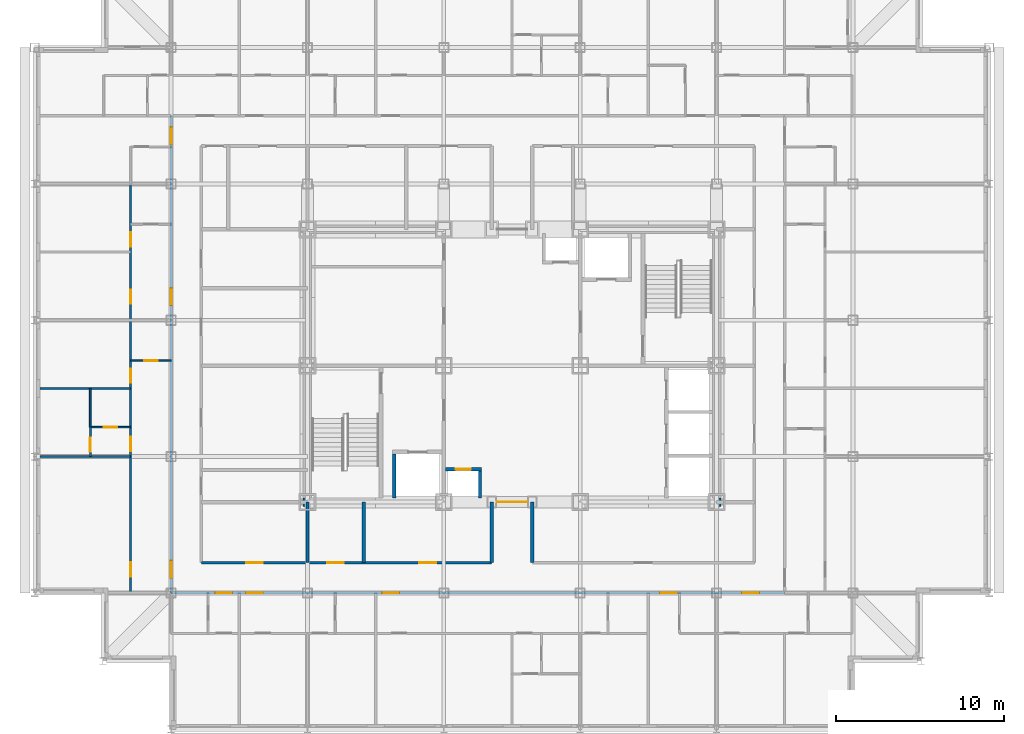
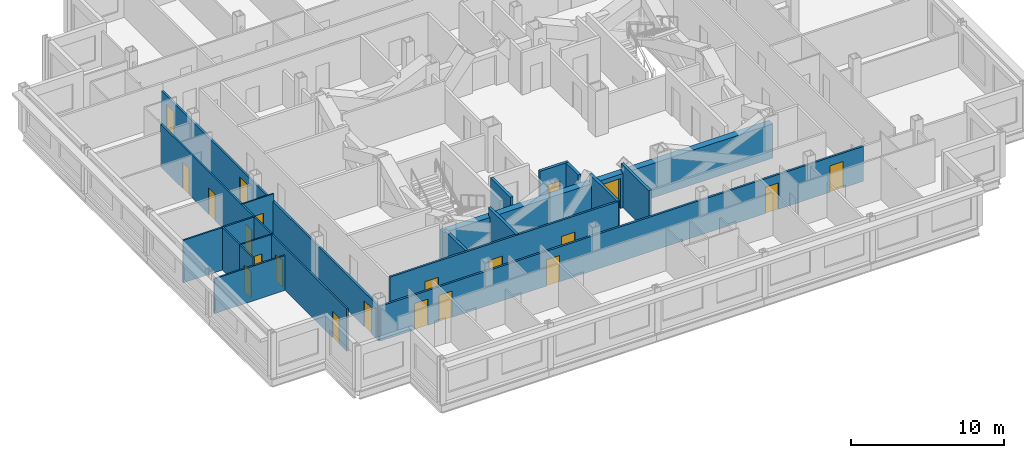
# One storey, part 5 of 12: 21 doors, 18 walls, 21 openings.
"""IFC4 building model written with IfcOpenShell, lengths in metres."""

from ifc_helpers import new_model, si_unit, direction, frame, frame_2d, origin, place, context, subcontext, project, spatial, rectangle, extrude, material, layer, layer_set, type_object, element, fill, save


model = new_model("IFC4")

# Units and contexts
model_context = context("Model", 3, precision=1e-05, world=origin(), true_north=direction((0.0, 1.0)))
body_context = subcontext(model_context, "Body", "Model", "MODEL_VIEW")
ifc_project = project(units=[si_unit("LENGTHUNIT", "METRE"), si_unit("AREAUNIT", "SQUARE_METRE"), si_unit("VOLUMEUNIT", "CUBIC_METRE"), si_unit("PLANEANGLEUNIT", "RADIAN"), si_unit("MASSUNIT", "GRAM", prefix="KILO")], contexts=[model_context])

# Site, building, storey
site_placement = place(None, origin())
site = spatial("IfcSite", under=ifc_project, at=site_placement, CompositionType="ELEMENT")
building_placement = place(site_placement, origin())
building = spatial("IfcBuilding", under=site, at=building_placement, Name="Kopane Lantern Tower", CompositionType="ELEMENT")
storey_placement = place(building_placement, frame((0.0, 0.0, 210.0)))
storey = spatial("IfcBuildingStorey", under=building, at=storey_placement, Name="L54", CompositionType="ELEMENT", Elevation=210.0)

# Wall, openings, doors
ifc_material_1 = material(Name="Gypsum board on steel studs", Category="steel")
ifc_layer_1 = layer(ifc_material_1, 0.1201171875)
ifc_layer_set_1 = layer_set([ifc_layer_1], Name="APARTMENT INTERNAL WALL 120")
wall_type_1 = type_object("IfcWallType", Name="APARTMENT INTERNAL WALL 120", PredefinedType="PARTITIONING", material=ifc_layer_set_1)
wall_1_placement = place(storey_placement, frame((5.699951171875, 18.89990234375, 0.0), z_axis=(0.0, 0.0, 1.0), x_axis=(0.0, 1.0, 0.0)))
wall_1 = element("IfcWall", 1, at=wall_1_placement, inside=storey, type_object=wall_type_1, Name="Apartment Internal Wall 120 L54", PredefinedType="PARTITIONING", context=body_context, shape_type="SweptSolid", body=[
    extrude(rectangle(XDim=24.300048828125, YDim=0.1201171875, at=frame_2d((12.14990234375, 0.0))), origin(), (0.0, 0.0, 1.0), 3.389892578125),
])
opening_1_placement = place(wall_1_placement, frame((0.97509765625, 0.0, 0.0)))
opening_1 = element("IfcOpeningElement", 2, at=opening_1_placement, cuts=wall_1, Name="Opening L54-043", PredefinedType="OPENING", context=body_context, shape_type="SweptSolid", body=[
    extrude(rectangle(XDim=0.85009765625, YDim=2.10009765625, at=frame_2d((0.425048828125, 1.050048828125))), frame((0.0, 0.070068359375, 0.0), z_axis=(0.0, -1.0, 0.0), x_axis=(1.0, 0.0, 0.0)), (0.0, 0.0, 1.0), 0.14013671875),
])
opening_2_placement = place(wall_1_placement, frame((8.425048828125, 0.0, 0.0)))
opening_2 = element("IfcOpeningElement", 3, at=opening_2_placement, cuts=wall_1, Name="Opening L54-045", PredefinedType="OPENING", context=body_context, shape_type="SweptSolid", body=[
    extrude(rectangle(XDim=0.85009765625, YDim=2.10009765625, at=frame_2d((0.425048828125, 1.050048828125))), frame((0.0, 0.070068359375, 0.0), z_axis=(0.0, -1.0, 0.0), x_axis=(1.0, 0.0, 0.0)), (0.0, 0.0, 1.0), 0.14013671875),
])
opening_3_placement = place(wall_1_placement, frame((12.47509765625, 0.0, 0.0)))
opening_3 = element("IfcOpeningElement", 4, at=opening_3_placement, cuts=wall_1, Name="Opening L54-046", PredefinedType="OPENING", context=body_context, shape_type="SweptSolid", body=[
    extrude(rectangle(XDim=0.85009765625, YDim=2.10009765625, at=frame_2d((0.425048828125, 1.050048828125))), frame((0.0, 0.070068359375, 0.0), z_axis=(0.0, -1.0, 0.0), x_axis=(1.0, 0.0, 0.0)), (0.0, 0.0, 1.0), 0.14013671875),
])
opening_4_placement = place(wall_1_placement, frame((17.175048828125, 0.0, 0.0)))
opening_4 = element("IfcOpeningElement", 5, at=opening_4_placement, cuts=wall_1, Name="Opening L54-049", PredefinedType="OPENING", context=body_context, shape_type="SweptSolid", body=[
    extrude(rectangle(XDim=0.85009765625, YDim=2.10009765625, at=frame_2d((0.425048828125, 1.050048828125))), frame((0.0, 0.070068359375, 0.0), z_axis=(0.0, -1.0, 0.0), x_axis=(1.0, 0.0, 0.0)), (0.0, 0.0, 1.0), 0.14013671875),
])
opening_5_placement = place(wall_1_placement, frame((20.574951171875, 0.0, 0.0)))
opening_5 = element("IfcOpeningElement", 6, at=opening_5_placement, cuts=wall_1, Name="Opening L54-050", PredefinedType="OPENING", context=body_context, shape_type="SweptSolid", body=[
    extrude(rectangle(XDim=0.85009765625, YDim=2.10009765625, at=frame_2d((0.425048828125, 1.050048828125))), frame((0.0, 0.070068359375, 0.0), z_axis=(0.0, -1.0, 0.0), x_axis=(1.0, 0.0, 0.0)), (0.0, 0.0, 1.0), 0.14013671875),
])
ifc_material_2 = material(Name="Timber door set", Category="wood")
door_type_1 = type_object("IfcDoorType", Name="DOOR D4 850x2100", OperationType="SINGLE_SWING_LEFT", PredefinedType="DOOR", material=ifc_material_2)
door_1_placement = place(opening_1_placement, origin())
door_1 = element("IfcDoor", 7, at=door_1_placement, inside=storey, type_object=door_type_1, Name="Door L54-043", OperationType="SINGLE_SWING_RIGHT", OverallHeight=2.10009765625, OverallWidth=0.85009765625, PredefinedType="DOOR", context=body_context, shape_type="SweptSolid", body=[
    extrude(rectangle(XDim=0.85009765625, YDim=2.10009765625, at=frame_2d((0.425048828125, 1.050048828125))), frame((0.0, 0.02490234375, 0.0), z_axis=(0.0, -1.0, 0.0), x_axis=(1.0, 0.0, 0.0)), (0.0, 0.0, 1.0), 0.050048828125),
])
fill(opening_1, door_1)
door_2_placement = place(opening_2_placement, origin())
door_2 = element("IfcDoor", 8, at=door_2_placement, inside=storey, type_object=door_type_1, Name="Door L54-045", OperationType="SINGLE_SWING_LEFT", OverallHeight=2.10009765625, OverallWidth=0.85009765625, PredefinedType="DOOR", context=body_context, shape_type="SweptSolid", body=[
    extrude(rectangle(XDim=0.85009765625, YDim=2.10009765625, at=frame_2d((0.425048828125, 1.050048828125))), frame((0.0, 0.02490234375, 0.0), z_axis=(0.0, -1.0, 0.0), x_axis=(1.0, 0.0, 0.0)), (0.0, 0.0, 1.0), 0.050048828125),
])
fill(opening_2, door_2)
door_3_placement = place(opening_3_placement, origin())
door_3 = element("IfcDoor", 9, at=door_3_placement, inside=storey, type_object=door_type_1, Name="Door L54-046", OperationType="SINGLE_SWING_LEFT", OverallHeight=2.10009765625, OverallWidth=0.85009765625, PredefinedType="DOOR", context=body_context, shape_type="SweptSolid", body=[
    extrude(rectangle(XDim=0.85009765625, YDim=2.10009765625, at=frame_2d((0.425048828125, 1.050048828125))), frame((0.0, 0.02490234375, 0.0), z_axis=(0.0, -1.0, 0.0), x_axis=(1.0, 0.0, 0.0)), (0.0, 0.0, 1.0), 0.050048828125),
])
fill(opening_3, door_3)
door_4_placement = place(opening_4_placement, origin())
door_4 = element("IfcDoor", 10, at=door_4_placement, inside=storey, type_object=door_type_1, Name="Door L54-049", OperationType="SINGLE_SWING_RIGHT", OverallHeight=2.10009765625, OverallWidth=0.85009765625, PredefinedType="DOOR", context=body_context, shape_type="SweptSolid", body=[
    extrude(rectangle(XDim=0.85009765625, YDim=2.10009765625, at=frame_2d((0.425048828125, 1.050048828125))), frame((0.0, 0.02490234375, 0.0), z_axis=(0.0, -1.0, 0.0), x_axis=(1.0, 0.0, 0.0)), (0.0, 0.0, 1.0), 0.050048828125),
])
fill(opening_4, door_4)
door_5_placement = place(opening_5_placement, origin())
door_5 = element("IfcDoor", 11, at=door_5_placement, inside=storey, type_object=door_type_1, Name="Door L54-050", OperationType="SINGLE_SWING_LEFT", OverallHeight=2.10009765625, OverallWidth=0.85009765625, PredefinedType="DOOR", context=body_context, shape_type="SweptSolid", body=[
    extrude(rectangle(XDim=0.85009765625, YDim=2.10009765625, at=frame_2d((0.425048828125, 1.050048828125))), frame((0.0, 0.02490234375, 0.0), z_axis=(0.0, -1.0, 0.0), x_axis=(1.0, 0.0, 0.0)), (0.0, 0.0, 1.0), 0.050048828125),
])
fill(opening_5, door_5)

# Walls
wall_2_placement = place(storey_placement, frame((5.699951171875, 27.0, 0.0), z_axis=(0.0, 0.0, 1.0), x_axis=(-1.0, 0.0, 0.0)))
element("IfcWall", 12, at=wall_2_placement, inside=storey, type_object=wall_type_1, Name="Apartment Internal Wall 120 L54", PredefinedType="PARTITIONING", context=body_context, shape_type="SweptSolid", body=[
    extrude(rectangle(XDim=5.39990234375, YDim=0.1201171875, at=frame_2d((2.699951171875, 0.0))), origin(), (0.0, 0.0, 1.0), 2.77783203125),
])
wall_3_placement = place(storey_placement, frame((5.699951171875, 31.050048828125, 0.0), z_axis=(0.0, 0.0, 1.0), x_axis=(-1.0, 0.0, 0.0)))
element("IfcWall", 13, at=wall_3_placement, inside=storey, type_object=wall_type_1, Name="Apartment Internal Wall 120 L54", PredefinedType="PARTITIONING", context=body_context, shape_type="SweptSolid", body=[
    extrude(rectangle(XDim=5.39990234375, YDim=0.1201171875, at=frame_2d((2.699951171875, 0.0))), origin(), (0.0, 0.0, 1.0), 3.389892578125),
])

# Wall, opening, door
wall_4_placement = place(storey_placement, frame((3.300048828125, 27.0, 0.0), z_axis=(0.0, 0.0, 1.0), x_axis=(0.0, 1.0, 0.0)))
wall_4 = element("IfcWall", 14, at=wall_4_placement, inside=storey, type_object=wall_type_1, Name="Apartment Internal Wall 120 L54", PredefinedType="PARTITIONING", context=body_context, shape_type="SweptSolid", body=[
    extrude(rectangle(XDim=1.760009765625, YDim=0.1201171875, at=frame_2d((0.8798828125, 0.0))), origin(), (0.0, 0.0, 1.0), 3.389892578125),
])
opening_6_placement = place(wall_4_placement, frame((0.27490234375, 0.0, 0.0)))
opening_6 = element("IfcOpeningElement", 15, at=opening_6_placement, cuts=wall_4, Name="Opening L54-082", PredefinedType="OPENING", context=body_context, shape_type="SweptSolid", body=[
    extrude(rectangle(XDim=0.85009765625, YDim=2.10009765625, at=frame_2d((0.425048828125, 1.050048828125))), frame((0.0, 0.070068359375, 0.0), z_axis=(0.0, -1.0, 0.0), x_axis=(1.0, 0.0, 0.0)), (0.0, 0.0, 1.0), 0.14013671875),
])
door_6_placement = place(opening_6_placement, origin())
door_6 = element("IfcDoor", 16, at=door_6_placement, inside=storey, type_object=door_type_1, Name="Door L54-082", OperationType="SINGLE_SWING_LEFT", OverallHeight=2.10009765625, OverallWidth=0.85009765625, PredefinedType="DOOR", context=body_context, shape_type="SweptSolid", body=[
    extrude(rectangle(XDim=0.85009765625, YDim=2.10009765625, at=frame_2d((0.425048828125, 1.050048828125))), frame((0.0, 0.02490234375, 0.0), z_axis=(0.0, -1.0, 0.0), x_axis=(1.0, 0.0, 0.0)), (0.0, 0.0, 1.0), 0.050048828125),
])
fill(opening_6, door_6)

ifc_material_3 = material(Name="Moisture-resistant board on steel studs", Category="steel")
ifc_layer_2 = layer(ifc_material_3, 0.10009765625)
ifc_layer_set_2 = layer_set([ifc_layer_2], Name="BATHROOM WALL 100")
wall_type_2 = type_object("IfcWallType", Name="BATHROOM WALL 100", PredefinedType="PARTITIONING", material=ifc_layer_set_2)
wall_5_placement = place(storey_placement, frame((8.10009765625, 32.699951171875, 0.0), z_axis=(0.0, 0.0, 1.0), x_axis=(-1.0, 0.0, 0.0)))
wall_5 = element("IfcWall", 17, at=wall_5_placement, inside=storey, type_object=wall_type_2, Name="Bathroom Wall 100 L54", PredefinedType="PARTITIONING", context=body_context, shape_type="SweptSolid", body=[
    extrude(rectangle(XDim=2.400146484375, YDim=0.10009765625, at=frame_2d((1.2001953125, 0.0))), origin(), (0.0, 0.0, 1.0), 3.389892578125),
])
opening_7_placement = place(wall_5_placement, frame((0.800048828125, 0.0, 0.0)))
opening_7 = element("IfcOpeningElement", 18, at=opening_7_placement, cuts=wall_5, Name="Opening L54-041", PredefinedType="OPENING", context=body_context, shape_type="SweptSolid", body=[
    extrude(rectangle(XDim=0.800048828125, YDim=2.10009765625, at=frame_2d((0.39990234375, 1.050048828125))), frame((0.0, 0.06005859375, 0.0), z_axis=(0.0, -1.0, 0.0), x_axis=(1.0, 0.0, 0.0)), (0.0, 0.0, 1.0), 0.1201171875),
])
ifc_material_4 = material(Name="Timber door set", Category="wood")
door_type_2 = type_object("IfcDoorType", Name="DOOR D2 800x2100", OperationType="SINGLE_SWING_LEFT", PredefinedType="DOOR", material=ifc_material_4)
door_7_placement = place(opening_7_placement, origin())
door_7 = element("IfcDoor", 19, at=door_7_placement, inside=storey, type_object=door_type_2, Name="Door L54-041", OperationType="SINGLE_SWING_RIGHT", OverallHeight=2.10009765625, OverallWidth=0.800048828125, PredefinedType="DOOR", context=body_context, shape_type="SweptSolid", body=[
    extrude(rectangle(XDim=0.800048828125, YDim=2.10009765625, at=frame_2d((0.39990234375, 1.050048828125))), frame((0.0, 0.02490234375, 0.0), z_axis=(0.0, -1.0, 0.0), x_axis=(1.0, 0.0, 0.0)), (0.0, 0.0, 1.0), 0.050048828125),
])
fill(opening_7, door_7)

wall_6_placement = place(storey_placement, frame((5.699951171875, 28.75, 0.0), z_axis=(0.0, 0.0, 1.0), x_axis=(-1.0, 0.0, 0.0)))
wall_6 = element("IfcWall", 20, at=wall_6_placement, inside=storey, type_object=wall_type_2, Name="Bathroom Wall 100 L54", PredefinedType="PARTITIONING", context=body_context, shape_type="SweptSolid", body=[
    extrude(rectangle(XDim=2.39990234375, YDim=0.10009765625, at=frame_2d((1.199951171875, 0.0))), origin(), (0.0, 0.0, 1.0), 3.389892578125),
])
opening_8_placement = place(wall_6_placement, frame((0.800048828125, 0.0, 0.0)))
opening_8 = element("IfcOpeningElement", 21, at=opening_8_placement, cuts=wall_6, Name="Opening L54-044", PredefinedType="OPENING", context=body_context, shape_type="SweptSolid", body=[
    extrude(rectangle(XDim=0.800048828125, YDim=2.10009765625, at=frame_2d((0.39990234375, 1.050048828125))), frame((0.0, 0.06005859375, 0.0), z_axis=(0.0, -1.0, 0.0), x_axis=(1.0, 0.0, 0.0)), (0.0, 0.0, 1.0), 0.1201171875),
])
door_8_placement = place(opening_8_placement, origin())
door_8 = element("IfcDoor", 22, at=door_8_placement, inside=storey, type_object=door_type_2, Name="Door L54-044", OperationType="SINGLE_SWING_RIGHT", OverallHeight=2.10009765625, OverallWidth=0.800048828125, PredefinedType="DOOR", context=body_context, shape_type="SweptSolid", body=[
    extrude(rectangle(XDim=0.800048828125, YDim=2.10009765625, at=frame_2d((0.39990234375, 1.050048828125))), frame((0.0, 0.02490234375, 0.0), z_axis=(0.0, -1.0, 0.0), x_axis=(1.0, 0.0, 0.0)), (0.0, 0.0, 1.0), 0.050048828125),
])
fill(opening_8, door_8)

# Wall
wall_7_placement = place(storey_placement, frame((3.300048828125, 28.75, 0.0), z_axis=(0.0, 0.0, 1.0), x_axis=(0.0, 1.0, 0.0)))
element("IfcWall", 23, at=wall_7_placement, inside=storey, type_object=wall_type_2, Name="Bathroom Wall 100 L54", PredefinedType="PARTITIONING", context=body_context, shape_type="SweptSolid", body=[
    extrude(rectangle(XDim=2.300048828125, YDim=0.10009765625, at=frame_2d((1.14990234375, 0.0))), origin(), (0.0, 0.0, 1.0), 3.389892578125),
])

# Wall, opening, door
ifc_material_5 = material(Name="Gypsum shaft wall EI 120", Category="gypsum")
ifc_layer_3 = layer(ifc_material_5, 0.5)
ifc_layer_set_3 = layer_set([ifc_layer_3], Name="CORE PERIMETER WALL 500 EI 120")
wall_type_3 = type_object("IfcWallType", Name="CORE PERIMETER WALL 500 EI 120", PredefinedType="SOLIDWALL", material=ifc_layer_set_3)
wall_8_placement = place(storey_placement, frame((15.949951171875, 24.300048828125, 0.0), z_axis=(0.0, 0.0, 1.0), x_axis=(1.0, 0.0, 0.0)))
wall_8 = element("IfcWall", 24, at=wall_8_placement, inside=storey, type_object=wall_type_3, Name="Core shaft wall L54 PS", PredefinedType="SOLIDWALL", context=body_context, shape_type="SweptSolid", body=[
    extrude(rectangle(XDim=24.800048828125, YDim=0.5, at=frame_2d((12.39990234375, 0.0))), origin(), (0.0, 0.0, 1.0), 2.739990234375),
])
opening_9_placement = place(wall_8_placement, frame((11.5, 0.0, 0.0)))
opening_9 = element("IfcOpeningElement", 25, at=opening_9_placement, cuts=wall_8, Name="Opening 54.CE-S", PredefinedType="OPENING", context=body_context, shape_type="SweptSolid", body=[
    extrude(rectangle(XDim=1.800048828125, YDim=2.39990234375, at=frame_2d((0.89990234375, 1.199951171875))), frame((0.0, 0.260009765625, 0.0), z_axis=(0.0, -1.0, 0.0), x_axis=(1.0, 0.0, 0.0)), (0.0, 0.0, 1.0), 0.52001953125),
])
ifc_material_6 = material(Name="Steel door set", Category="steel")
door_type_3 = type_object("IfcDoorType", Name="CORE ENTRY DOOR 1800x2400 FD60S", OperationType="DOUBLE_DOOR_SINGLE_SWING", PredefinedType="DOOR", material=ifc_material_6)
door_9_placement = place(opening_9_placement, origin())
door_9 = element("IfcDoor", 26, at=door_9_placement, inside=storey, type_object=door_type_3, Name="Core entry door L54 south", OperationType="DOUBLE_DOOR_SINGLE_SWING", OverallHeight=2.39990234375, OverallWidth=1.800048828125, PredefinedType="DOOR", context=body_context, shape_type="SweptSolid", body=[
    extrude(rectangle(XDim=1.800048828125, YDim=2.39990234375, at=frame_2d((0.89990234375, 1.199951171875))), frame((0.0, 0.02490234375, 0.0), z_axis=(0.0, -1.0, 0.0), x_axis=(1.0, 0.0, 0.0)), (0.0, 0.0, 1.0), 0.050048828125),
])
fill(opening_9, door_9)

# Wall, openings, doors
ifc_material_7 = material(Name="Gypsum board on steel studs", Category="steel")
ifc_layer_4 = layer(ifc_material_7, 0.14990234375)
ifc_layer_set_4 = layer_set([ifc_layer_4], Name="CORRIDOR WALL 150 EI 60")
wall_type_4 = type_object("IfcWallType", Name="CORRIDOR WALL 150 EI 60", PredefinedType="PARTITIONING", material=ifc_layer_set_4)
wall_9_placement = place(storey_placement, frame((8.10009765625, 18.89990234375, 0.0), z_axis=(0.0, 0.0, 1.0), x_axis=(1.0, 0.0, 0.0)))
wall_9 = element("IfcWall", 27, at=wall_9_placement, inside=storey, type_object=wall_type_4, Name="Corridor Wall 150 Ei 60 L54", PredefinedType="PARTITIONING", context=body_context, shape_type="SweptSolid", body=[
    extrude(rectangle(XDim=36.449951171875, YDim=0.14990234375, at=frame_2d((18.22509765625, 0.0))), origin(), (0.0, 0.0, 1.0), 2.77783203125),
])
opening_10_placement = place(wall_9_placement, frame((4.449951171875, 0.0, 0.0)))
opening_10 = element("IfcOpeningElement", 28, at=opening_10_placement, cuts=wall_9, Name="Opening L54-018", PredefinedType="OPENING", context=body_context, shape_type="SweptSolid", body=[
    extrude(rectangle(XDim=1.0, YDim=2.10009765625, at=frame_2d((0.5, 1.050048828125))), frame((0.0, 0.0849609375, 0.0), z_axis=(0.0, -1.0, 0.0), x_axis=(1.0, 0.0, 0.0)), (0.0, 0.0, 1.0), 0.169921875),
])
opening_11_placement = place(wall_9_placement, frame((12.550048828125, 0.0, 0.0)))
opening_11 = element("IfcOpeningElement", 29, at=opening_11_placement, cuts=wall_9, Name="Opening L54-022", PredefinedType="OPENING", context=body_context, shape_type="SweptSolid", body=[
    extrude(rectangle(XDim=1.0, YDim=2.10009765625, at=frame_2d((0.5, 1.050048828125))), frame((0.0, 0.0849609375, 0.0), z_axis=(0.0, -1.0, 0.0), x_axis=(1.0, 0.0, 0.0)), (0.0, 0.0, 1.0), 0.169921875),
])
opening_12_placement = place(wall_9_placement, frame((29.050048828125, 0.0, 0.0)))
opening_12 = element("IfcOpeningElement", 30, at=opening_12_placement, cuts=wall_9, Name="Opening L54-028", PredefinedType="OPENING", context=body_context, shape_type="SweptSolid", body=[
    extrude(rectangle(XDim=1.0, YDim=2.10009765625, at=frame_2d((0.5, 1.050048828125))), frame((0.0, 0.0849609375, 0.0), z_axis=(0.0, -1.0, 0.0), x_axis=(1.0, 0.0, 0.0)), (0.0, 0.0, 1.0), 0.169921875),
])
opening_13_placement = place(wall_9_placement, frame((2.625, 0.0, 0.0)))
opening_13 = element("IfcOpeningElement", 31, at=opening_13_placement, cuts=wall_9, Name="Opening L54-064", PredefinedType="OPENING", context=body_context, shape_type="SweptSolid", body=[
    extrude(rectangle(XDim=1.0, YDim=2.10009765625, at=frame_2d((0.5, 1.050048828125))), frame((0.0, 0.0849609375, 0.0), z_axis=(0.0, -1.0, 0.0), x_axis=(1.0, 0.0, 0.0)), (0.0, 0.0, 1.0), 0.169921875),
])
opening_14_placement = place(wall_9_placement, frame((33.925048828125, 0.0, 0.0)))
opening_14 = element("IfcOpeningElement", 32, at=opening_14_placement, cuts=wall_9, Name="Opening L54-066", PredefinedType="OPENING", context=body_context, shape_type="SweptSolid", body=[
    extrude(rectangle(XDim=1.0, YDim=2.10009765625, at=frame_2d((0.5, 1.050048828125))), frame((0.0, 0.0849609375, 0.0), z_axis=(0.0, -1.0, 0.0), x_axis=(1.0, 0.0, 0.0)), (0.0, 0.0, 1.0), 0.169921875),
])
ifc_material_8 = material(Name="Steel door set", Category="steel")
door_type_4 = type_object("IfcDoorType", Name="DOOR D3 1000x2100 FD30S", OperationType="SINGLE_SWING_LEFT", PredefinedType="DOOR", material=ifc_material_8)
door_10_placement = place(opening_10_placement, origin())
door_10 = element("IfcDoor", 33, at=door_10_placement, inside=storey, type_object=door_type_4, Name="Door L54-018", OperationType="SINGLE_SWING_RIGHT", OverallHeight=2.10009765625, OverallWidth=1.0, PredefinedType="DOOR", context=body_context, shape_type="SweptSolid", body=[
    extrude(rectangle(XDim=1.0, YDim=2.10009765625, at=frame_2d((0.5, 1.050048828125))), frame((0.0, 0.02490234375, 0.0), z_axis=(0.0, -1.0, 0.0), x_axis=(1.0, 0.0, 0.0)), (0.0, 0.0, 1.0), 0.050048828125),
])
fill(opening_10, door_10)
door_11_placement = place(opening_11_placement, origin())
door_11 = element("IfcDoor", 34, at=door_11_placement, inside=storey, type_object=door_type_4, Name="Door L54-022", OperationType="SINGLE_SWING_RIGHT", OverallHeight=2.10009765625, OverallWidth=1.0, PredefinedType="DOOR", context=body_context, shape_type="SweptSolid", body=[
    extrude(rectangle(XDim=1.0, YDim=2.10009765625, at=frame_2d((0.5, 1.050048828125))), frame((0.0, 0.02490234375, 0.0), z_axis=(0.0, -1.0, 0.0), x_axis=(1.0, 0.0, 0.0)), (0.0, 0.0, 1.0), 0.050048828125),
])
fill(opening_11, door_11)
door_12_placement = place(opening_12_placement, origin())
door_12 = element("IfcDoor", 35, at=door_12_placement, inside=storey, type_object=door_type_4, Name="Door L54-028", OperationType="SINGLE_SWING_LEFT", OverallHeight=2.10009765625, OverallWidth=1.0, PredefinedType="DOOR", context=body_context, shape_type="SweptSolid", body=[
    extrude(rectangle(XDim=1.0, YDim=2.10009765625, at=frame_2d((0.5, 1.050048828125))), frame((0.0, 0.02490234375, 0.0), z_axis=(0.0, -1.0, 0.0), x_axis=(1.0, 0.0, 0.0)), (0.0, 0.0, 1.0), 0.050048828125),
])
fill(opening_12, door_12)
door_13_placement = place(opening_13_placement, origin())
door_13 = element("IfcDoor", 36, at=door_13_placement, inside=storey, type_object=door_type_4, Name="Door L54-064", OperationType="SINGLE_SWING_RIGHT", OverallHeight=2.10009765625, OverallWidth=1.0, PredefinedType="DOOR", context=body_context, shape_type="SweptSolid", body=[
    extrude(rectangle(XDim=1.0, YDim=2.10009765625, at=frame_2d((0.5, 1.050048828125))), frame((0.0, 0.02490234375, 0.0), z_axis=(0.0, -1.0, 0.0), x_axis=(1.0, 0.0, 0.0)), (0.0, 0.0, 1.0), 0.050048828125),
])
fill(opening_13, door_13)
door_14_placement = place(opening_14_placement, origin())
door_14 = element("IfcDoor", 37, at=door_14_placement, inside=storey, type_object=door_type_4, Name="Door L54-066", OperationType="SINGLE_SWING_RIGHT", OverallHeight=2.10009765625, OverallWidth=1.0, PredefinedType="DOOR", context=body_context, shape_type="SweptSolid", body=[
    extrude(rectangle(XDim=1.0, YDim=2.10009765625, at=frame_2d((0.5, 1.050048828125))), frame((0.0, 0.02490234375, 0.0), z_axis=(0.0, -1.0, 0.0), x_axis=(1.0, 0.0, 0.0)), (0.0, 0.0, 1.0), 0.050048828125),
])
fill(opening_14, door_14)

wall_10_placement = place(storey_placement, frame((8.10009765625, 18.89990234375, 0.0), z_axis=(0.0, 0.0, 1.0), x_axis=(0.0, 1.0, 0.0)))
wall_10 = element("IfcWall", 38, at=wall_10_placement, inside=storey, type_object=wall_type_4, Name="Corridor Wall 150 Ei 60 L54", PredefinedType="PARTITIONING", context=body_context, shape_type="SweptSolid", body=[
    extrude(rectangle(XDim=28.35009765625, YDim=0.14990234375, at=frame_2d((14.175048828125, 0.0))), origin(), (0.0, 0.0, 1.0), 2.77783203125),
])
opening_15_placement = place(wall_10_placement, frame((0.89990234375, 0.0, 0.0)))
opening_15 = element("IfcOpeningElement", 39, at=opening_15_placement, cuts=wall_10, Name="Opening L54-042", PredefinedType="OPENING", context=body_context, shape_type="SweptSolid", body=[
    extrude(rectangle(XDim=1.0, YDim=2.10009765625, at=frame_2d((0.5, 1.050048828125))), frame((0.0, 0.0849609375, 0.0), z_axis=(0.0, -1.0, 0.0), x_axis=(1.0, 0.0, 0.0)), (0.0, 0.0, 1.0), 0.169921875),
])
opening_16_placement = place(wall_10_placement, frame((17.10009765625, 0.0, 0.0)))
opening_16 = element("IfcOpeningElement", 40, at=opening_16_placement, cuts=wall_10, Name="Opening L54-048", PredefinedType="OPENING", context=body_context, shape_type="SweptSolid", body=[
    extrude(rectangle(XDim=1.0, YDim=2.10009765625, at=frame_2d((0.5, 1.050048828125))), frame((0.0, 0.0849609375, 0.0), z_axis=(0.0, -1.0, 0.0), x_axis=(1.0, 0.0, 0.0)), (0.0, 0.0, 1.0), 0.169921875),
])
opening_17_placement = place(wall_10_placement, frame((26.64990234375, 0.0, 0.0)))
opening_17 = element("IfcOpeningElement", 41, at=opening_17_placement, cuts=wall_10, Name="Opening L54-052", PredefinedType="OPENING", context=body_context, shape_type="SweptSolid", body=[
    extrude(rectangle(XDim=1.0, YDim=2.10009765625, at=frame_2d((0.5, 1.050048828125))), frame((0.0, 0.0849609375, 0.0), z_axis=(0.0, -1.0, 0.0), x_axis=(1.0, 0.0, 0.0)), (0.0, 0.0, 1.0), 0.169921875),
])
door_15_placement = place(opening_15_placement, origin())
door_15 = element("IfcDoor", 42, at=door_15_placement, inside=storey, type_object=door_type_4, Name="Door L54-042", OperationType="SINGLE_SWING_LEFT", OverallHeight=2.10009765625, OverallWidth=1.0, PredefinedType="DOOR", context=body_context, shape_type="SweptSolid", body=[
    extrude(rectangle(XDim=1.0, YDim=2.10009765625, at=frame_2d((0.5, 1.050048828125))), frame((0.0, 0.02490234375, 0.0), z_axis=(0.0, -1.0, 0.0), x_axis=(1.0, 0.0, 0.0)), (0.0, 0.0, 1.0), 0.050048828125),
])
fill(opening_15, door_15)
door_16_placement = place(opening_16_placement, origin())
door_16 = element("IfcDoor", 43, at=door_16_placement, inside=storey, type_object=door_type_4, Name="Door L54-048", OperationType="SINGLE_SWING_LEFT", OverallHeight=2.10009765625, OverallWidth=1.0, PredefinedType="DOOR", context=body_context, shape_type="SweptSolid", body=[
    extrude(rectangle(XDim=1.0, YDim=2.10009765625, at=frame_2d((0.5, 1.050048828125))), frame((0.0, 0.02490234375, 0.0), z_axis=(0.0, -1.0, 0.0), x_axis=(1.0, 0.0, 0.0)), (0.0, 0.0, 1.0), 0.050048828125),
])
fill(opening_16, door_16)
door_17_placement = place(opening_17_placement, origin())
door_17 = element("IfcDoor", 44, at=door_17_placement, inside=storey, type_object=door_type_4, Name="Door L54-052", OperationType="SINGLE_SWING_LEFT", OverallHeight=2.10009765625, OverallWidth=1.0, PredefinedType="DOOR", context=body_context, shape_type="SweptSolid", body=[
    extrude(rectangle(XDim=1.0, YDim=2.10009765625, at=frame_2d((0.5, 1.050048828125))), frame((0.0, 0.02490234375, 0.0), z_axis=(0.0, -1.0, 0.0), x_axis=(1.0, 0.0, 0.0)), (0.0, 0.0, 1.0), 0.050048828125),
])
fill(opening_17, door_17)

wall_11_placement = place(storey_placement, frame((9.89990234375, 20.699951171875, 0.0), z_axis=(0.0, 0.0, 1.0), x_axis=(1.0, 0.0, 0.0)))
wall_11 = element("IfcWall", 45, at=wall_11_placement, inside=storey, type_object=wall_type_4, Name="Corridor Wall 150 Ei 60 L54", PredefinedType="PARTITIONING", context=body_context, shape_type="SweptSolid", body=[
    extrude(rectangle(XDim=17.239990234375, YDim=0.14990234375, at=frame_2d((8.6201171875, 0.0))), origin(), (0.0, 0.0, 1.0), 3.389892578125),
])
opening_18_placement = place(wall_11_placement, frame((2.64990234375, 0.0, 0.0)))
opening_18 = element("IfcOpeningElement", 46, at=opening_18_placement, cuts=wall_11, Name="Opening L54-007", PredefinedType="OPENING", context=body_context, shape_type="SweptSolid", body=[
    extrude(rectangle(XDim=1.0, YDim=2.10009765625, at=frame_2d((0.5, 1.050048828125))), frame((0.0, 0.0849609375, 0.0), z_axis=(0.0, -1.0, 0.0), x_axis=(1.0, 0.0, 0.0)), (0.0, 0.0, 1.0), 0.169921875),
])
opening_19_placement = place(wall_11_placement, frame((7.466796875, 0.0, 0.0)))
opening_19 = element("IfcOpeningElement", 47, at=opening_19_placement, cuts=wall_11, Name="Opening L54-008", PredefinedType="OPENING", context=body_context, shape_type="SweptSolid", body=[
    extrude(rectangle(XDim=1.0, YDim=2.10009765625, at=frame_2d((0.5, 1.050048828125))), frame((0.0, 0.0849609375, 0.0), z_axis=(0.0, -1.0, 0.0), x_axis=(1.0, 0.0, 0.0)), (0.0, 0.0, 1.0), 0.169921875),
])
opening_20_placement = place(wall_11_placement, frame((12.941650390625, 0.0, 0.0)))
opening_20 = element("IfcOpeningElement", 48, at=opening_20_placement, cuts=wall_11, Name="Opening L54-009", PredefinedType="OPENING", context=body_context, shape_type="SweptSolid", body=[
    extrude(rectangle(XDim=1.0, YDim=2.10009765625, at=frame_2d((0.5, 1.050048828125))), frame((0.0, 0.0849609375, 0.0), z_axis=(0.0, -1.0, 0.0), x_axis=(1.0, 0.0, 0.0)), (0.0, 0.0, 1.0), 0.169921875),
])
ifc_material_9 = material(Name="Steel door set", Category="steel")
door_type_5 = type_object("IfcDoorType", Name="DOOR D5 1000x2100 FD60", OperationType="SINGLE_SWING_LEFT", PredefinedType="DOOR", material=ifc_material_9)
door_18_placement = place(opening_18_placement, origin())
door_18 = element("IfcDoor", 49, at=door_18_placement, inside=storey, type_object=door_type_5, Name="Door L54-007", OperationType="SINGLE_SWING_LEFT", OverallHeight=2.10009765625, OverallWidth=1.0, PredefinedType="DOOR", context=body_context, shape_type="SweptSolid", body=[
    extrude(rectangle(XDim=1.0, YDim=2.10009765625, at=frame_2d((0.5, 1.050048828125))), frame((0.0, 0.02490234375, 0.0), z_axis=(0.0, -1.0, 0.0), x_axis=(1.0, 0.0, 0.0)), (0.0, 0.0, 1.0), 0.050048828125),
])
fill(opening_18, door_18)
door_19_placement = place(opening_19_placement, origin())
door_19 = element("IfcDoor", 50, at=door_19_placement, inside=storey, type_object=door_type_5, Name="Door L54-008", OperationType="SINGLE_SWING_RIGHT", OverallHeight=2.10009765625, OverallWidth=1.0, PredefinedType="DOOR", context=body_context, shape_type="SweptSolid", body=[
    extrude(rectangle(XDim=1.0, YDim=2.10009765625, at=frame_2d((0.5, 1.050048828125))), frame((0.0, 0.02490234375, 0.0), z_axis=(0.0, -1.0, 0.0), x_axis=(1.0, 0.0, 0.0)), (0.0, 0.0, 1.0), 0.050048828125),
])
fill(opening_19, door_19)
door_20_placement = place(opening_20_placement, origin())
door_20 = element("IfcDoor", 51, at=door_20_placement, inside=storey, type_object=door_type_5, Name="Door L54-009", OperationType="SINGLE_SWING_LEFT", OverallHeight=2.10009765625, OverallWidth=1.0, PredefinedType="DOOR", context=body_context, shape_type="SweptSolid", body=[
    extrude(rectangle(XDim=1.0, YDim=2.10009765625, at=frame_2d((0.5, 1.050048828125))), frame((0.0, 0.02490234375, 0.0), z_axis=(0.0, -1.0, 0.0), x_axis=(1.0, 0.0, 0.0)), (0.0, 0.0, 1.0), 0.050048828125),
])
fill(opening_20, door_20)

# Walls
ifc_material_10 = material(Name="Concrete masonry", Category="masonry")
ifc_layer_5 = layer(ifc_material_10, 0.199951171875)
ifc_layer_set_5 = layer_set([ifc_layer_5], Name="PLANT ROOM WALL 200 EI 120")
wall_type_5 = type_object("IfcWallType", Name="PLANT ROOM WALL 200 EI 120", PredefinedType="SOLIDWALL", material=ifc_layer_set_5)
wall_12_placement = place(storey_placement, frame((16.199951171875, 20.699951171875, 0.0), z_axis=(0.0, 0.0, 1.0), x_axis=(0.0, 1.0, 0.0)))
element("IfcWall", 52, at=wall_12_placement, inside=storey, type_object=wall_type_5, Name="Plant Room Wall 200 Ei 120 L54", PredefinedType="SOLIDWALL", context=body_context, shape_type="SweptSolid", body=[
    extrude(rectangle(XDim=3.60009765625, YDim=0.199951171875, at=frame_2d((1.800048828125, 0.0))), origin(), (0.0, 0.0, 1.0), 2.77783203125),
])
for number, where, z_axis, x_axis, name in (
    (53, (19.533203125, 20.699951171875, 0.0), (0.0, 0.0, 1.0), (0.0, 1.0, 0.0), "Plant Room Wall 200 Ei 120 L54"),
    (54, (27.14990234375, 20.699951171875, 0.0), (0.0, 0.0, 1.0), (0.0, 1.0, 0.0), "Plant Room Wall 200 Ei 120 L54"),
    (55, (29.550048828125, 20.699951171875, 0.0), (0.0, 0.0, 1.0), (0.0, 1.0, 0.0), "Plant Room Wall 200 Ei 120 L54"),
):
    element("IfcWall", number, at=place(storey_placement, frame(where, z_axis=z_axis, x_axis=x_axis)), inside=storey, type_object=wall_type_5, Name=name, PredefinedType="SOLIDWALL", context=body_context, shape_type="SweptSolid", body=[
        extrude(rectangle(XDim=3.60009765625, YDim=0.199951171875, at=frame_2d((1.800048828125, 0.0))), origin(), (0.0, 0.0, 1.0), 3.389892578125),
    ])
ifc_material_11 = material(Name="Gypsum shaft wall EI 120", Category="gypsum")
ifc_layer_6 = layer(ifc_material_11, 0.199951171875)
ifc_layer_set_6 = layer_set([ifc_layer_6], Name="SHAFT WALL 200 EI 120")
wall_type_6 = type_object("IfcWallType", Name="SHAFT WALL 200 EI 120", PredefinedType="SOLIDWALL", material=ifc_layer_set_6)
wall_13_placement = place(storey_placement, frame((21.35009765625, 24.550048828125, 0.0), z_axis=(0.0, 0.0, 1.0), x_axis=(0.0, 1.0, 0.0)))
element("IfcWall", 56, at=wall_13_placement, inside=storey, type_object=wall_type_6, Name="Core shaft wall L54 XLF1", PredefinedType="SOLIDWALL", context=body_context, shape_type="SweptSolid", body=[
    extrude(rectangle(XDim=2.599853515625, YDim=0.199951171875, at=frame_2d((1.2998046875, 0.0))), origin(), (0.0, 0.0, 1.0), 3.389892578125),
])
wall_14_placement = place(storey_placement, frame((26.449951171875, 24.550048828125, 0.0), z_axis=(0.0, 0.0, 1.0), x_axis=(0.0, 1.0, 0.0)))
element("IfcWall", 57, at=wall_14_placement, inside=storey, type_object=wall_type_6, Name="Core shaft wall L54 XRS1", PredefinedType="SOLIDWALL", context=body_context, shape_type="SweptSolid", body=[
    extrude(rectangle(XDim=1.599853515625, YDim=0.199951171875, at=frame_2d((0.7998046875, 0.0))), origin(), (0.0, 0.0, 1.0), 3.389892578125),
])

# Wall, opening, door
wall_15_placement = place(storey_placement, frame((24.39990234375, 26.25, 0.0), z_axis=(0.0, 0.0, 1.0), x_axis=(1.0, 0.0, 0.0)))
wall_15 = element("IfcWall", 58, at=wall_15_placement, inside=storey, type_object=wall_type_6, Name="Core shaft wall L54 YRS1", PredefinedType="SOLIDWALL", context=body_context, shape_type="SweptSolid", body=[
    extrude(rectangle(XDim=2.150146484375, YDim=0.199951171875, at=frame_2d((1.0751953125, 0.0))), origin(), (0.0, 0.0, 1.0), 3.389892578125),
])
opening_21_placement = place(wall_15_placement, frame((0.60009765625, 0.0, 0.0)))
opening_21 = element("IfcOpeningElement", 59, at=opening_21_placement, cuts=wall_15, Name="Opening 54.RS1", PredefinedType="OPENING", context=body_context, shape_type="SweptSolid", body=[
    extrude(rectangle(XDim=0.89990234375, YDim=2.10009765625, at=frame_2d((0.449951171875, 1.050048828125))), frame((0.0, 0.10986328125, 0.0), z_axis=(0.0, -1.0, 0.0), x_axis=(1.0, 0.0, 0.0)), (0.0, 0.0, 1.0), 0.219970703125),
])
ifc_material_12 = material(Name="Steel door set", Category="steel")
door_type_6 = type_object("IfcDoorType", Name="RISER ACCESS DOOR 900x2100 FD60", OperationType="SINGLE_SWING_LEFT", PredefinedType="DOOR", material=ifc_material_12)
door_21_placement = place(opening_21_placement, origin())
door_21 = element("IfcDoor", 60, at=door_21_placement, inside=storey, type_object=door_type_6, Name="Riser access door RS1 L54", OperationType="SINGLE_SWING_LEFT", OverallHeight=2.10009765625, OverallWidth=0.89990234375, PredefinedType="DOOR", context=body_context, shape_type="SweptSolid", body=[
    extrude(rectangle(XDim=0.89990234375, YDim=2.10009765625, at=frame_2d((0.449951171875, 1.050048828125))), frame((0.0, 0.02490234375, 0.0), z_axis=(0.0, -1.0, 0.0), x_axis=(1.0, 0.0, 0.0)), (0.0, 0.0, 1.0), 0.050048828125),
])
fill(opening_21, door_21)

save(model, "model.ifc")
